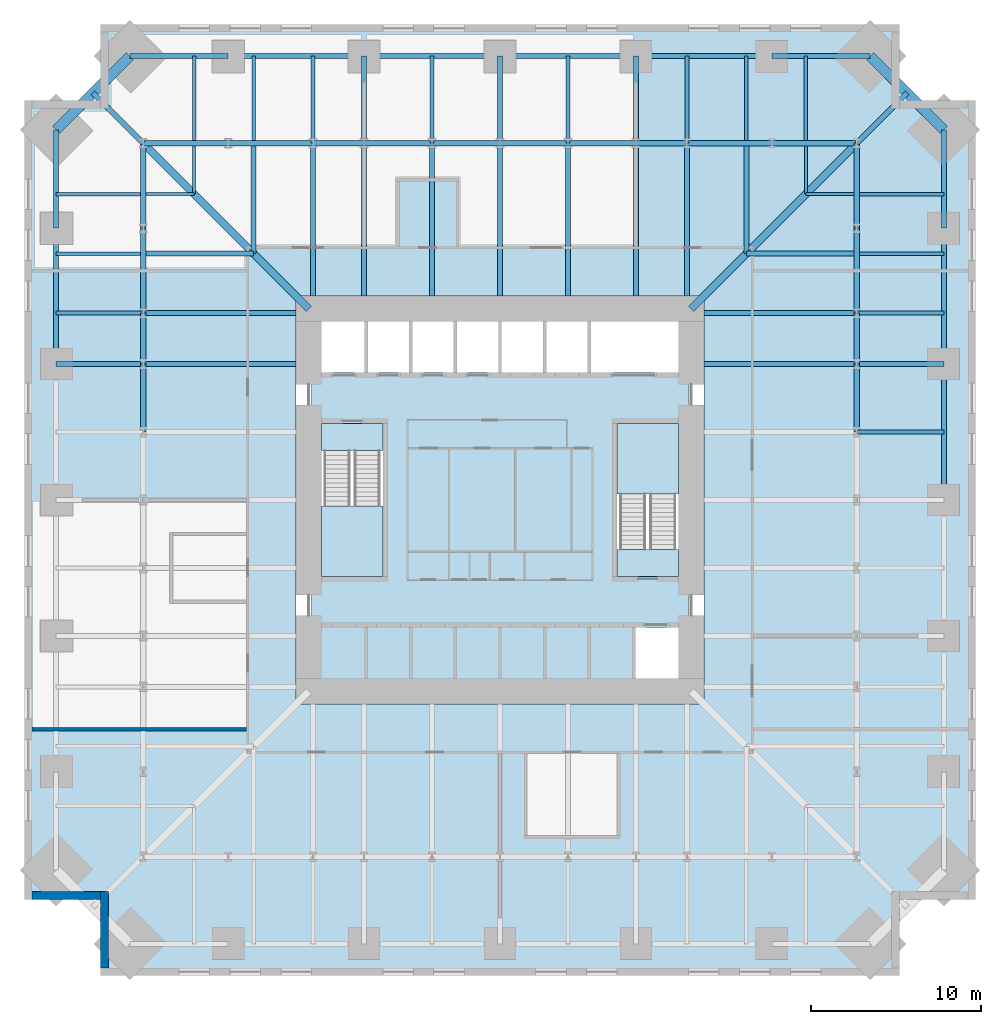
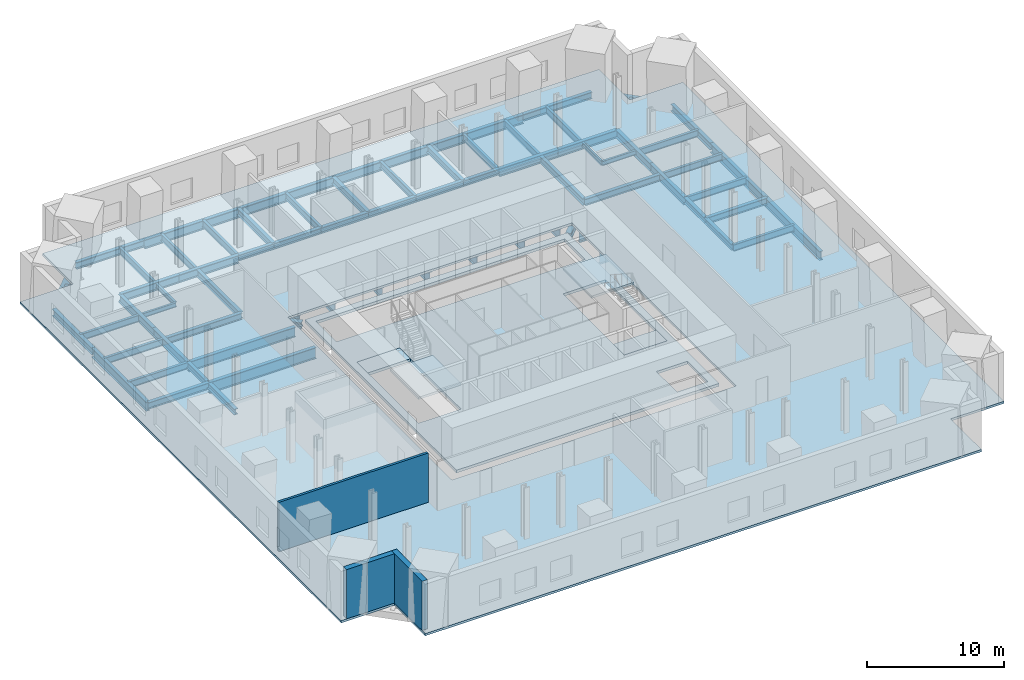
# One storey, part 2 of 8: 74 beams, 6 slabs, 3 walls, 2 elements without a shape of their own.
"""IFC4 building model written with IfcOpenShell, lengths in metres."""

from ifc_helpers import new_model, si_unit, direction, frame, frame_2d, origin, origin_2d, place, context, subcontext, project, spatial, polyline, rectangle, hollow_rectangle, i_section, outline, extrude, material, layer, layer_set, material_profile, profile_set, type_object, element, aggregate, save


model = new_model("IFC4")

# Units and contexts
model_context = context("Model", 3, precision=1e-05, world=origin(), true_north=direction((0.0, 1.0)))
body_context = subcontext(model_context, "Body", "Model", "MODEL_VIEW")
ifc_project = project(units=[si_unit("LENGTHUNIT", "METRE"), si_unit("AREAUNIT", "SQUARE_METRE"), si_unit("VOLUMEUNIT", "CUBIC_METRE"), si_unit("PLANEANGLEUNIT", "RADIAN"), si_unit("MASSUNIT", "GRAM", prefix="KILO")], contexts=[model_context])

# Site, building, storey
site_placement = place(None, origin())
site = spatial("IfcSite", under=ifc_project, at=site_placement, CompositionType="ELEMENT")
building_placement = place(site_placement, origin())
building = spatial("IfcBuilding", under=site, at=building_placement, Name="Peilmerk Tower", CompositionType="ELEMENT")
storey_placement = place(building_placement, frame((0.0, 0.0, 118.199951171875)))
storey = spatial("IfcBuildingStorey", under=building, at=storey_placement, Name="L23", CompositionType="ELEMENT", Elevation=118.199951171875)

# Beams
ifc_material_1 = material(Name="Steel S355", Category="steel")
ifc_material_profile_1 = material_profile(ifc_material_1, i_section(OverallWidth=0.219970703125, OverallDepth=0.60009765625, WebThickness=0.011962890625, FlangeThickness=0.01904296875, at=origin_2d()), Name="IPE 600")
ifc_profile_set_1 = profile_set([ifc_material_profile_1], Name="Steel S355")
beam_type_1 = type_object("IfcBeamType", Name="B10 IPE 600 floor beam", PredefinedType="BEAM", material=ifc_profile_set_1)
for number, where, z_axis, x_axis, name in (
    (1, (11.0, 21.0, -0.5), (0.0, 1.0, 0.0), (-1.0, 0.0, 0.0), "Floor beam L23"),
    (2, (4.0, 21.0, -0.5), (0.0, 1.0, 0.0), (-1.0, 0.0, 0.0), "Floor beam L23"),
    (3, (-4.0, 21.0, -0.5), (0.0, 1.0, 0.0), (-1.0, 0.0, 0.0), "Floor beam L23"),
    (4, (-11.0, 21.0, -0.5), (0.0, 1.0, 0.0), (-1.0, 0.0, 0.0), "Floor beam L23"),
    (5, (21.0, 4.0, -0.5), (1.0, 0.0, 0.0), (0.0, 1.0, 0.0), "Floor beam L23"),
    (6, (21.0, 11.0, -0.5), (1.0, 0.0, 0.0), (0.0, 1.0, 0.0), "Floor beam L23"),
    (7, (-21.0, 11.0, -0.5), (-1.0, 0.0, 0.0), (0.0, -1.0, 0.0), "Floor beam L23"),
):
    element("IfcBeam", number, at=place(storey_placement, frame(where, z_axis=z_axis, x_axis=x_axis)), inside=storey, type_object=beam_type_1, Name=name, PredefinedType="BEAM", context=body_context, shape_type="SweptSolid", body=[
        extrude(i_section(OverallWidth=0.219970703125, OverallDepth=0.60009765625, WebThickness=0.011962890625, FlangeThickness=0.01904296875, at=origin_2d()), origin(), (0.0, 0.0, 1.0), 5.130615234375),
    ])
for number, where, z_axis, x_axis, name in (
    (8, (14.5, 21.152099609375, -0.5), (0.0, 1.0, 0.0), (-1.0, 0.0, 0.0), "Floor beam L23"),
    (9, (21.152099609375, 14.5, -0.5), (1.0, 0.0, 0.0), (0.0, 1.0, 0.0), "Floor beam L23"),
    (10, (18.0, 21.152099609375, -0.5), (0.0, 1.0, 0.0), (-1.0, 0.0, 0.0), "Floor beam L23"),
    (11, (21.152099609375, 18.0, -0.5), (1.0, 0.0, 0.0), (0.0, 1.0, 0.0), "Floor beam L23"),
    (12, (-14.5, 21.152099609375, -0.5), (0.0, 1.0, 0.0), (-1.0, 0.0, 0.0), "Floor beam L23"),
    (13, (-21.152099609375, 14.5, -0.5), (-1.0, 0.0, 0.0), (0.0, -1.0, 0.0), "Floor beam L23"),
    (14, (-18.0, 21.152099609375, -0.5), (0.0, 1.0, 0.0), (-1.0, 0.0, 0.0), "Floor beam L23"),
    (15, (-21.152099609375, 18.0, -0.5), (-1.0, 0.0, 0.0), (0.0, -1.0, 0.0), "Floor beam L23"),
):
    element("IfcBeam", number, at=place(storey_placement, frame(where, z_axis=z_axis, x_axis=x_axis)), inside=storey, type_object=beam_type_1, Name=name, PredefinedType="BEAM", context=body_context, shape_type="SweptSolid", body=[
        extrude(i_section(OverallWidth=0.219970703125, OverallDepth=0.60009765625, WebThickness=0.011962890625, FlangeThickness=0.01904296875, at=origin_2d()), origin(), (0.0, 0.0, 1.0), 4.978515625),
    ])
ifc_material_profile_2 = material_profile(ifc_material_1, i_section(OverallWidth=0.302978515625, OverallDepth=0.81396484375, WebThickness=0.02099609375, FlangeThickness=0.0400390625, at=origin_2d()), Name="HEM 800")
ifc_profile_set_2 = profile_set([ifc_material_profile_2], Name="Steel S355")
beam_type_2 = type_object("IfcBeamType", Name="B15 HEM 800 edge beam", PredefinedType="SPANDREL", material=ifc_profile_set_2)
for number, where, z_axis, x_axis, name in (
    (16, (16.0, 26.130615234375, -0.60693359375), (-1.0, 0.0, 0.0), (0.0, -1.0, 0.0), "Edge beam L23"),
    (17, (8.0, 26.130615234375, -0.60693359375), (-1.0, 0.0, 0.0), (0.0, -1.0, 0.0), "Edge beam L23"),
    (18, (0.0, 26.130615234375, -0.60693359375), (-1.0, 0.0, 0.0), (0.0, -1.0, 0.0), "Edge beam L23"),
    (19, (-8.0, 26.130615234375, -0.60693359375), (-1.0, 0.0, 0.0), (0.0, -1.0, 0.0), "Edge beam L23"),
    (20, (26.130615234375, 0.0, -0.60693359375), (0.0, 1.0, 0.0), (-1.0, 0.0, 0.0), "Edge beam L23"),
    (21, (26.130615234375, 8.0, -0.60693359375), (0.0, 1.0, 0.0), (-1.0, 0.0, 0.0), "Edge beam L23"),
    (22, (-26.130615234375, 16.0, -0.60693359375), (0.0, -1.0, 0.0), (1.0, 0.0, 0.0), "Edge beam L23"),
):
    element("IfcBeam", number, at=place(storey_placement, frame(where, z_axis=z_axis, x_axis=x_axis)), inside=storey, type_object=beam_type_2, Name=name, PredefinedType="SPANDREL", context=body_context, shape_type="SweptSolid", body=[
        extrude(i_section(OverallWidth=0.302978515625, OverallDepth=0.81396484375, WebThickness=0.02099609375, FlangeThickness=0.0400390625, at=origin_2d()), origin(), (0.0, 0.0, 1.0), 8.0),
    ])
ifc_material_profile_3 = material_profile(ifc_material_1, i_section(OverallWidth=0.303955078125, OverallDepth=0.716064453125, WebThickness=0.02099609375, FlangeThickness=0.0400390625, at=origin_2d()), Name="HEM 700")
ifc_profile_set_3 = profile_set([ifc_material_profile_3], Name="Steel S355")
beam_type_3 = type_object("IfcBeamType", Name="B19 HEM 700 ring girder", PredefinedType="BEAM", material=ifc_profile_set_3)
for number, where, z_axis, x_axis, name in (
    (23, (21.0, 21.0, -0.557861328125), (-1.0, 0.0, 0.0), (0.0, -1.0, 0.0), "Ring girder L23"),
    (24, (16.0, 21.0, -0.557861328125), (-1.0, 0.0, 0.0), (0.0, -1.0, 0.0), "Ring girder L23"),
    (25, (-11.0, 21.0, -0.557861328125), (-1.0, 0.0, 0.0), (0.0, -1.0, 0.0), "Ring girder L23"),
    (26, (-16.0, 21.0, -0.557861328125), (-1.0, 0.0, 0.0), (0.0, -1.0, 0.0), "Ring girder L23"),
    (27, (21.0, 11.0, -0.557861328125), (0.0, 1.0, 0.0), (-1.0, 0.0, 0.0), "Ring girder L23"),
    (28, (21.0, 16.0, -0.557861328125), (0.0, 1.0, 0.0), (-1.0, 0.0, 0.0), "Ring girder L23"),
    (29, (-21.0, 21.0, -0.557861328125), (0.0, -1.0, 0.0), (1.0, 0.0, 0.0), "Ring girder L23"),
    (30, (-21.0, 16.0, -0.557861328125), (0.0, -1.0, 0.0), (1.0, 0.0, 0.0), "Ring girder L23"),
):
    element("IfcBeam", number, at=place(storey_placement, frame(where, z_axis=z_axis, x_axis=x_axis)), inside=storey, type_object=beam_type_3, Name=name, PredefinedType="BEAM", context=body_context, shape_type="SweptSolid", body=[
        extrude(i_section(OverallWidth=0.303955078125, OverallDepth=0.716064453125, WebThickness=0.02099609375, FlangeThickness=0.0400390625, at=origin_2d()), origin(), (0.0, 0.0, 1.0), 5.0),
    ])
ifc_material_2 = material(Name="Steel S460", Category="steel")
ifc_material_profile_4 = material_profile(ifc_material_2, hollow_rectangle(XDim=0.60009765625, YDim=0.60009765625, WallThickness=0.06005859375, at=origin_2d()), Name="BOX 600x600x60")
ifc_profile_set_4 = profile_set([ifc_material_profile_4], Name="Steel S460")
beam_type_4 = type_object("IfcBeamType", Name="B20 BOX 600x600x60 notch beam", PredefinedType="SPANDREL", material=ifc_profile_set_4)
for number, where, z_axis, x_axis, name in (
    (31, (21.78076171875, 26.130615234375, -0.5), (0.707106781187, -0.707106781187, 0.0), (0.707106781187, 0.707106781187, 0.0), "Notch beam L23"),
    (32, (-26.130615234375, 21.78076171875, -0.5), (0.707106781187, 0.707106781187, 0.0), (-0.707106781187, 0.707106781187, 0.0), "Notch beam L23"),
):
    element("IfcBeam", number, at=place(storey_placement, frame(where, z_axis=z_axis, x_axis=x_axis)), inside=storey, type_object=beam_type_4, Name=name, PredefinedType="SPANDREL", context=body_context, shape_type="SweptSolid", body=[
        extrude(hollow_rectangle(XDim=0.60009765625, YDim=0.60009765625, WallThickness=0.06005859375, at=origin_2d()), origin(), (0.0, 0.0, 1.0), 6.151611328125),
    ])
ifc_material_profile_5 = material_profile(ifc_material_1, i_section(OverallWidth=0.302001953125, OverallDepth=1.008056640625, WebThickness=0.02099609375, FlangeThickness=0.0400390625, at=origin_2d()), Name="HEM 1000")
ifc_profile_set_5 = profile_set([ifc_material_profile_5], Name="Steel S355")
beam_type_5 = type_object("IfcBeamType", Name="B24 HEM 1000 floor girder", PredefinedType="BEAM", material=ifc_profile_set_5)
for number, where, z_axis, x_axis, name in (
    (33, (8.0, 12.0, -0.703857421875), (0.0, 1.0, 0.0), (-1.0, 0.0, 0.0), "Floor girder L23"),
    (34, (0.0, 12.0, -0.703857421875), (0.0, 1.0, 0.0), (-1.0, 0.0, 0.0), "Floor girder L23"),
    (35, (-8.0, 12.0, -0.703857421875), (0.0, 1.0, 0.0), (-1.0, 0.0, 0.0), "Floor girder L23"),
    (36, (12.0, 8.0, -0.703857421875), (1.0, 0.0, 0.0), (0.0, 1.0, 0.0), "Floor girder L23"),
    (37, (-12.0, 8.0, -0.703857421875), (-1.0, 0.0, 0.0), (0.0, -1.0, 0.0), "Floor girder L23"),
):
    element("IfcBeam", number, at=place(storey_placement, frame(where, z_axis=z_axis, x_axis=x_axis)), inside=storey, type_object=beam_type_5, Name=name, PredefinedType="BEAM", context=body_context, shape_type="SweptSolid", body=[
        extrude(i_section(OverallWidth=0.302001953125, OverallDepth=1.008056640625, WebThickness=0.02099609375, FlangeThickness=0.0400390625, at=origin_2d()), origin(), (0.0, 0.0, 1.0), 9.0),
    ])
ifc_material_profile_6 = material_profile(ifc_material_1, i_section(OverallWidth=0.300048828125, OverallDepth=0.590087890625, WebThickness=0.012939453125, FlangeThickness=0.02490234375, at=origin_2d()), Name="HEA 600")
ifc_profile_set_6 = profile_set([ifc_material_profile_6], Name="Steel S355")
beam_type_6 = type_object("IfcBeamType", Name="B27 HEA 600 floor beam", PredefinedType="BEAM", material=ifc_profile_set_6)
for number, where, z_axis, x_axis, name in (
    (38, (8.0, 21.0, -0.494873046875), (0.0, 1.0, 0.0), (-1.0, 0.0, 0.0), "Floor girder L23"),
    (39, (0.0, 21.0, -0.494873046875), (0.0, 1.0, 0.0), (-1.0, 0.0, 0.0), "Floor girder L23"),
    (40, (-8.0, 21.0, -0.494873046875), (0.0, 1.0, 0.0), (-1.0, 0.0, 0.0), "Floor girder L23"),
    (41, (21.0, 8.0, -0.494873046875), (1.0, 0.0, 0.0), (0.0, 1.0, 0.0), "Floor girder L23"),
    (42, (-21.0, 8.0, -0.494873046875), (-1.0, 0.0, 0.0), (0.0, -1.0, 0.0), "Floor girder L23"),
):
    element("IfcBeam", number, at=place(storey_placement, frame(where, z_axis=z_axis, x_axis=x_axis)), inside=storey, type_object=beam_type_6, Name=name, PredefinedType="BEAM", context=body_context, shape_type="SweptSolid", body=[
        extrude(i_section(OverallWidth=0.300048828125, OverallDepth=0.590087890625, WebThickness=0.012939453125, FlangeThickness=0.02490234375, at=origin_2d()), origin(), (0.0, 0.0, 1.0), 5.130615234375),
    ])
for number, where, z_axis, x_axis, name in (
    (43, (14.5, 14.5, -0.494873046875), (0.0, 1.0, 0.0), (-1.0, 0.0, 0.0), "Floor beam L23"),
    (44, (14.5, 14.5, -0.494873046875), (1.0, 0.0, 0.0), (0.0, 1.0, 0.0), "Floor beam L23"),
    (45, (-14.5, 14.5, -0.494873046875), (0.0, 1.0, 0.0), (-1.0, 0.0, 0.0), "Floor beam L23"),
    (46, (-14.5, 14.5, -0.494873046875), (-1.0, 0.0, 0.0), (0.0, -1.0, 0.0), "Floor beam L23"),
):
    element("IfcBeam", number, at=place(storey_placement, frame(where, z_axis=z_axis, x_axis=x_axis)), inside=storey, type_object=beam_type_6, Name=name, PredefinedType="BEAM", context=body_context, shape_type="SweptSolid", body=[
        extrude(i_section(OverallWidth=0.300048828125, OverallDepth=0.590087890625, WebThickness=0.012939453125, FlangeThickness=0.02490234375, at=origin_2d()), origin(), (0.0, 0.0, 1.0), 6.347900390625),
    ])
ifc_material_profile_7 = material_profile(ifc_material_1, i_section(OverallWidth=0.179931640625, OverallDepth=0.39990234375, WebThickness=0.008544921875, FlangeThickness=0.013427734375, at=origin_2d()), Name="IPE 400")
ifc_profile_set_7 = profile_set([ifc_material_profile_7], Name="Steel S355")
beam_type_7 = type_object("IfcBeamType", Name="B28 IPE 400 floor beam", PredefinedType="BEAM", material=ifc_profile_set_7)
for number, where, z_axis, x_axis, name in (
    (47, (18.0, 18.0, -0.39990234375), (0.0, 1.0, 0.0), (-1.0, 0.0, 0.0), "Floor beam L23"),
    (48, (18.0, 18.0, -0.39990234375), (1.0, 0.0, 0.0), (0.0, 1.0, 0.0), "Floor beam L23"),
    (49, (-18.0, 18.0, -0.39990234375), (0.0, 1.0, 0.0), (-1.0, 0.0, 0.0), "Floor beam L23"),
    (50, (-18.0, 18.0, -0.39990234375), (-1.0, 0.0, 0.0), (0.0, -1.0, 0.0), "Floor beam L23"),
):
    element("IfcBeam", number, at=place(storey_placement, frame(where, z_axis=z_axis, x_axis=x_axis)), inside=storey, type_object=beam_type_7, Name=name, PredefinedType="BEAM", context=body_context, shape_type="SweptSolid", body=[
        extrude(i_section(OverallWidth=0.179931640625, OverallDepth=0.39990234375, WebThickness=0.008544921875, FlangeThickness=0.013427734375, at=origin_2d()), origin(), (0.0, 0.0, 1.0), 2.847900390625),
    ])
ifc_material_profile_8 = material_profile(ifc_material_1, i_section(OverallWidth=0.304931640625, OverallDepth=0.6201171875, WebThickness=0.02099609375, FlangeThickness=0.0400390625, at=origin_2d()), Name="HEM 600")
ifc_profile_set_8 = profile_set([ifc_material_profile_8], Name="Steel S355")
beam_type_8 = type_object("IfcBeamType", Name="B31 HEM 600 edge beam", PredefinedType="SPANDREL", material=ifc_profile_set_8)
for number, where, z_axis, x_axis, name in (
    (51, (21.78076171875, 26.130615234375, -0.510009765625), (-1.0, 0.0, 0.0), (0.0, -1.0, 0.0), "Edge beam L23"),
    (52, (-16.0, 26.130615234375, -0.510009765625), (-1.0, 0.0, 0.0), (0.0, -1.0, 0.0), "Edge beam L23"),
    (53, (26.130615234375, 16.0, -0.510009765625), (0.0, 1.0, 0.0), (-1.0, 0.0, 0.0), "Edge beam L23"),
    (54, (-26.130615234375, 21.78076171875, -0.510009765625), (0.0, -1.0, 0.0), (1.0, 0.0, 0.0), "Edge beam L23"),
):
    element("IfcBeam", number, at=place(storey_placement, frame(where, z_axis=z_axis, x_axis=x_axis)), inside=storey, type_object=beam_type_8, Name=name, PredefinedType="SPANDREL", context=body_context, shape_type="SweptSolid", body=[
        extrude(i_section(OverallWidth=0.304931640625, OverallDepth=0.6201171875, WebThickness=0.02099609375, FlangeThickness=0.0400390625, at=origin_2d()), origin(), (0.0, 0.0, 1.0), 5.78076171875),
    ])
ifc_material_profile_9 = material_profile(ifc_material_1, i_section(OverallWidth=0.300048828125, OverallDepth=0.889892578125, WebThickness=0.01611328125, FlangeThickness=0.030029296875, at=origin_2d()), Name="HEA 900")
ifc_profile_set_9 = profile_set([ifc_material_profile_9], Name="Steel S355")
beam_type_9 = type_object("IfcBeamType", Name="B4 HEA 900 floor beam", PredefinedType="BEAM", material=ifc_profile_set_9)
for number, where, z_axis, x_axis, name in (
    (55, (11.0, 12.0, -0.64501953125), (0.0, 1.0, 0.0), (-1.0, 0.0, 0.0), "Floor beam L23"),
    (56, (4.0, 12.0, -0.64501953125), (0.0, 1.0, 0.0), (-1.0, 0.0, 0.0), "Floor beam L23"),
    (57, (-4.0, 12.0, -0.64501953125), (0.0, 1.0, 0.0), (-1.0, 0.0, 0.0), "Floor beam L23"),
    (58, (-11.0, 12.0, -0.64501953125), (0.0, 1.0, 0.0), (-1.0, 0.0, 0.0), "Floor beam L23"),
    (59, (12.0, 11.0, -0.64501953125), (1.0, 0.0, 0.0), (0.0, 1.0, 0.0), "Floor beam L23"),
    (60, (-12.0, 11.0, -0.64501953125), (-1.0, 0.0, 0.0), (0.0, -1.0, 0.0), "Floor beam L23"),
):
    element("IfcBeam", number, at=place(storey_placement, frame(where, z_axis=z_axis, x_axis=x_axis)), inside=storey, type_object=beam_type_9, Name=name, PredefinedType="BEAM", context=body_context, shape_type="SweptSolid", body=[
        extrude(i_section(OverallWidth=0.300048828125, OverallDepth=0.889892578125, WebThickness=0.01611328125, FlangeThickness=0.030029296875, at=origin_2d()), origin(), (0.0, 0.0, 1.0), 9.0),
    ])
ifc_material_profile_10 = material_profile(ifc_material_1, i_section(OverallWidth=0.304931640625, OverallDepth=0.6201171875, WebThickness=0.02099609375, FlangeThickness=0.0400390625, at=origin_2d()), Name="HEM 600")
ifc_profile_set_10 = profile_set([ifc_material_profile_10], Name="Steel S355")
beam_type_10 = type_object("IfcBeamType", Name="B6 HEM 600 ring girder", PredefinedType="BEAM", material=ifc_profile_set_10)
for number, where, z_axis, x_axis, name in (
    (61, (21.0, 21.0, -0.510009765625), (0.707106781187, 0.707106781187, 0.0), (-0.707106781187, 0.707106781187, 0.0), "Corner girder L23"),
    (62, (-21.0, 21.0, -0.510009765625), (-0.707106781187, 0.707106781187, 0.0), (-0.707106781187, -0.707106781187, 0.0), "Corner girder L23"),
):
    element("IfcBeam", number, at=place(storey_placement, frame(where, z_axis=z_axis, x_axis=x_axis)), inside=storey, type_object=beam_type_10, Name=name, PredefinedType="BEAM", context=body_context, shape_type="SweptSolid", body=[
        extrude(i_section(OverallWidth=0.304931640625, OverallDepth=0.6201171875, WebThickness=0.02099609375, FlangeThickness=0.0400390625, at=origin_2d()), origin(), (0.0, 0.0, 1.0), 4.1796875),
    ])
ifc_material_profile_11 = material_profile(ifc_material_1, i_section(OverallWidth=0.305908203125, OverallDepth=0.52392578125, WebThickness=0.02099609375, FlangeThickness=0.0400390625, at=origin_2d()), Name="HEM 500")
ifc_profile_set_11 = profile_set([ifc_material_profile_11], Name="Steel S355")
beam_type_11 = type_object("IfcBeamType", Name="B7 HEM 500 ring girder", PredefinedType="BEAM", material=ifc_profile_set_11)
beam_1_placement = place(storey_placement, frame((11.0, 21.0, -0.4619140625), z_axis=(-1.0, 0.0, 0.0), x_axis=(0.0, -1.0, 0.0)))
element("IfcBeam", 63, at=beam_1_placement, inside=storey, type_object=beam_type_11, Name="Ring girder L23", PredefinedType="BEAM", context=body_context, shape_type="SweptSolid", body=[
    extrude(i_section(OverallWidth=0.305908203125, OverallDepth=0.52392578125, WebThickness=0.02099609375, FlangeThickness=0.0400390625, at=origin_2d()), origin(), (0.0, 0.0, 1.0), 3.0),
])
for number, where, z_axis, x_axis, name in (
    (64, (8.0, 21.0, -0.4619140625), (-1.0, 0.0, 0.0), (0.0, -1.0, 0.0), "Ring girder L23"),
    (65, (4.0, 21.0, -0.4619140625), (-1.0, 0.0, 0.0), (0.0, -1.0, 0.0), "Ring girder L23"),
    (66, (0.0, 21.0, -0.4619140625), (-1.0, 0.0, 0.0), (0.0, -1.0, 0.0), "Ring girder L23"),
    (67, (-4.0, 21.0, -0.4619140625), (-1.0, 0.0, 0.0), (0.0, -1.0, 0.0), "Ring girder L23"),
):
    element("IfcBeam", number, at=place(storey_placement, frame(where, z_axis=z_axis, x_axis=x_axis)), inside=storey, type_object=beam_type_11, Name=name, PredefinedType="BEAM", context=body_context, shape_type="SweptSolid", body=[
        extrude(i_section(OverallWidth=0.305908203125, OverallDepth=0.52392578125, WebThickness=0.02099609375, FlangeThickness=0.0400390625, at=origin_2d()), origin(), (0.0, 0.0, 1.0), 4.0),
    ])
beam_2_placement = place(storey_placement, frame((-8.0, 21.0, -0.4619140625), z_axis=(-1.0, 0.0, 0.0), x_axis=(0.0, -1.0, 0.0)))
element("IfcBeam", 68, at=beam_2_placement, inside=storey, type_object=beam_type_11, Name="Ring girder L23", PredefinedType="BEAM", context=body_context, shape_type="SweptSolid", body=[
    extrude(i_section(OverallWidth=0.305908203125, OverallDepth=0.52392578125, WebThickness=0.02099609375, FlangeThickness=0.0400390625, at=origin_2d()), origin(), (0.0, 0.0, 1.0), 3.0),
])
beam_3_placement = place(storey_placement, frame((21.0, 4.0, -0.4619140625), z_axis=(0.0, 1.0, 0.0), x_axis=(-1.0, 0.0, 0.0)))
element("IfcBeam", 69, at=beam_3_placement, inside=storey, type_object=beam_type_11, Name="Ring girder L23", PredefinedType="BEAM", context=body_context, shape_type="SweptSolid", body=[
    extrude(i_section(OverallWidth=0.305908203125, OverallDepth=0.52392578125, WebThickness=0.02099609375, FlangeThickness=0.0400390625, at=origin_2d()), origin(), (0.0, 0.0, 1.0), 4.0),
])
for number, where, z_axis, x_axis, name in (
    (70, (21.0, 8.0, -0.4619140625), (0.0, 1.0, 0.0), (-1.0, 0.0, 0.0), "Ring girder L23"),
    (71, (-21.0, 11.0, -0.4619140625), (0.0, -1.0, 0.0), (1.0, 0.0, 0.0), "Ring girder L23"),
):
    element("IfcBeam", number, at=place(storey_placement, frame(where, z_axis=z_axis, x_axis=x_axis)), inside=storey, type_object=beam_type_11, Name=name, PredefinedType="BEAM", context=body_context, shape_type="SweptSolid", body=[
        extrude(i_section(OverallWidth=0.305908203125, OverallDepth=0.52392578125, WebThickness=0.02099609375, FlangeThickness=0.0400390625, at=origin_2d()), origin(), (0.0, 0.0, 1.0), 3.0),
    ])
beam_4_placement = place(storey_placement, frame((-21.0, 8.0, -0.4619140625), z_axis=(0.0, -1.0, 0.0), x_axis=(1.0, 0.0, 0.0)))
element("IfcBeam", 72, at=beam_4_placement, inside=storey, type_object=beam_type_11, Name="Ring girder L23", PredefinedType="BEAM", context=body_context, shape_type="SweptSolid", body=[
    extrude(i_section(OverallWidth=0.305908203125, OverallDepth=0.52392578125, WebThickness=0.02099609375, FlangeThickness=0.0400390625, at=origin_2d()), origin(), (0.0, 0.0, 1.0), 4.0),
])
ifc_material_profile_12 = material_profile(ifc_material_2, i_section(OverallWidth=0.4541015625, OverallDepth=0.569091796875, WebThickness=0.077880859375, FlangeThickness=0.125, at=origin_2d()), Name="HD 400x1086")
ifc_profile_set_12 = profile_set([ifc_material_profile_12], Name="Steel S460")
beam_type_12 = type_object("IfcBeamType", Name="B9 HD 400x1086 corner girder", PredefinedType="BEAM", material=ifc_profile_set_12)
for number, where, z_axis, x_axis, name in (
    (73, (11.25, 11.25, -0.484375), (0.707106781187, 0.707106781187, 0.0), (-0.707106781187, 0.707106781187, 0.0), "Corner girder L23"),
    (74, (-11.25, 11.25, -0.484375), (-0.707106781187, 0.707106781187, 0.0), (-0.707106781187, -0.707106781187, 0.0), "Corner girder L23"),
):
    element("IfcBeam", number, at=place(storey_placement, frame(where, z_axis=z_axis, x_axis=x_axis)), inside=storey, type_object=beam_type_12, Name=name, PredefinedType="BEAM", context=body_context, shape_type="SweptSolid", body=[
        extrude(i_section(OverallWidth=0.4541015625, OverallDepth=0.569091796875, WebThickness=0.077880859375, FlangeThickness=0.125, at=origin_2d()), origin(), (0.0, 0.0, 1.0), 13.78857421875),
    ])

# Slabs
ifc_material_3 = material(Name="Concrete C55/67", Category="concrete")
ifc_layer_1 = layer(ifc_material_3, 0.25)
ifc_layer_set_1 = layer_set([ifc_layer_1], Name="Concrete C55/67")
slab_type_1 = type_object("IfcSlabType", Name="CS250 250 core floor slab", PredefinedType="FLOOR", material=ifc_layer_set_1)
slab_1_placement = place(storey_placement, frame((0.0, 0.0, -0.25)))
element("IfcSlab", 75, at=slab_1_placement, inside=storey, type_object=slab_type_1, Name="Core slab L23", PredefinedType="FLOOR", context=body_context, shape_type="SweptSolid", body=[
    extrude(outline(polyline([(-11.10009765625, 11.10009765625), (-11.10009765625, -11.10009765625), (11.10009765625, -11.10009765625), (11.10009765625, 11.10009765625), (-11.10009765625, 11.10009765625)]), holes=[polyline([(10.5, 7.5), (-10.5, 7.5), (-10.5, 10.5), (10.5, 10.5), (10.5, 7.5)]), polyline([(7.875, -10.5), (7.875, -7.5), (10.5, -7.5), (10.5, -10.5), (7.875, -10.5)]), polyline([(-10.5, 4.5), (-6.89990234375, 4.5), (-6.89990234375, -4.5), (-10.5, -4.5), (-10.5, 4.5)]), polyline([(10.5, 4.5), (10.5, -4.5), (6.89990234375, -4.5), (6.89990234375, 4.5), (10.5, 4.5)])]), origin(), (0.0, 0.0, 1.0), 0.25),
])
ifc_material_4 = material(Name="Concrete C35/45", Category="concrete")
ifc_layer_2 = layer(ifc_material_4, 0.199951171875)
ifc_layer_set_2 = layer_set([ifc_layer_2], Name="Concrete C35/45")
slab_type_2 = type_object("IfcSlabType", Name="FS200 200 composite floor slab", PredefinedType="FLOOR", material=ifc_layer_set_2)
slab_2_placement = place(storey_placement, frame((0.0, 0.0, -0.199951171875)))
element("IfcSlab", 76, at=slab_2_placement, inside=storey, type_object=slab_type_2, Name="Floor slab L23", PredefinedType="FLOOR", context=body_context, shape_type="SweptSolid", body=[
    extrude(outline(polyline([(-23.5, -28.0), (23.5, -28.0), (23.5, -23.5), (28.0, -23.5), (28.0, 23.5), (23.5, 23.5), (23.5, 28.0), (-23.5, 28.0), (-23.5, 23.5), (-28.0, 23.5), (-28.0, -23.5), (-23.5, -23.5), (-23.5, -28.0)]), holes=[polyline([(12.0, 12.0), (12.0, -12.0), (-12.0, -12.0), (-12.0, 12.0), (12.0, 12.0)])]), origin(), (0.0, 0.0, 1.0), 0.199951171875),
])

# Stair, slab
ifc_material_5 = material(Name="Precast concrete C45/55", Category="concrete")
stair_type_1 = type_object("IfcStairType", Name="ST1 26 risers of 176.9", PredefinedType="HALF_TURN_STAIR", material=ifc_material_5)
stair_1_placement = place(storey_placement, origin())
stair_1 = element("IfcStair", 77, at=stair_1_placement, inside=storey, type_object=stair_type_1, Name="Stair 1 L23 to L24", PredefinedType="HALF_TURN_STAIR")
ifc_layer_3 = layer(ifc_material_4, 0.199951171875)
ifc_layer_set_3 = layer_set([ifc_layer_3], Name="Concrete C35/45")
slab_type_3 = type_object("IfcSlabType", Name="SL1 200 concrete stair landing", PredefinedType="LANDING", material=ifc_layer_set_3)
slab_3_placement = place(storey_placement, frame((0.0, 0.0, 2.10009765625)))
slab_3 = element("IfcSlab", 78, at=slab_3_placement, type_object=slab_type_3, Name="ST1 landing 1", PredefinedType="LANDING", context=body_context, shape_type="SweptSolid", body=[
    extrude(outline(polyline([(-10.5, -4.5), (-6.89990234375, -4.5), (-6.89990234375, -0.340087890625), (-10.5, -0.340087890625), (-10.5, -4.5)])), origin(), (0.0, 0.0, 1.0), 0.199951171875),
])

stair_type_2 = type_object("IfcStairType", Name="ST2 26 risers of 176.9", PredefinedType="HALF_TURN_STAIR", material=ifc_material_5)
stair_2_placement = place(storey_placement, origin())
stair_2 = element("IfcStair", 79, at=stair_2_placement, inside=storey, type_object=stair_type_2, Name="Stair 2 L23 to L24", PredefinedType="HALF_TURN_STAIR")
slab_4_placement = place(storey_placement, frame((0.0, 0.0, 2.10009765625)))
slab_4 = element("IfcSlab", 80, at=slab_4_placement, type_object=slab_type_3, Name="ST2 landing 1", PredefinedType="LANDING", context=body_context, shape_type="SweptSolid", body=[
    extrude(outline(polyline([(6.89990234375, 0.340087890625), (10.5, 0.340087890625), (10.5, 4.5), (6.89990234375, 4.5), (6.89990234375, 0.340087890625)])), origin(), (0.0, 0.0, 1.0), 0.199951171875),
])

# Slab
ifc_layer_4 = layer(ifc_material_4, 0.25)
ifc_layer_set_4 = layer_set([ifc_layer_4], Name="Concrete C35/45")
slab_type_4 = type_object("IfcSlabType", Name="SL2 250 concrete floor landing", PredefinedType="LANDING", material=ifc_layer_set_4)
slab_5_placement = place(storey_placement, frame((0.0, 0.0, -0.25)))
slab_5 = element("IfcSlab", 81, at=slab_5_placement, type_object=slab_type_4, Name="ST1 floor landing", PredefinedType="LANDING", context=body_context, shape_type="SweptSolid", body=[
    extrude(outline(polyline([(-10.5, 2.89990234375), (-6.89990234375, 2.89990234375), (-6.89990234375, 4.5), (-10.5, 4.5), (-10.5, 2.89990234375)])), origin(), (0.0, 0.0, 1.0), 0.25),
])

aggregate(stair_1, [slab_3, slab_5])

slab_6_placement = place(storey_placement, frame((0.0, 0.0, -0.25)))
slab_6 = element("IfcSlab", 82, at=slab_6_placement, type_object=slab_type_4, Name="ST2 floor landing", PredefinedType="LANDING", context=body_context, shape_type="SweptSolid", body=[
    extrude(outline(polyline([(6.89990234375, -4.5), (10.5, -4.5), (10.5, -2.89990234375), (6.89990234375, -2.89990234375), (6.89990234375, -4.5)])), origin(), (0.0, 0.0, 1.0), 0.25),
])

aggregate(stair_2, [slab_4, slab_6])

# Walls
ifc_material_6 = material(Name="Precast concrete C45/55, board-marked finish", Category="concrete")
ifc_layer_5 = layer(ifc_material_6, 0.449951171875)
ifc_layer_set_5 = layer_set([ifc_layer_5], Name="Precast concrete C45/55, board-marked finish")
wall_type_1 = type_object("IfcWallType", Name="EW1 450 precast concrete facade wall, board-marked", PredefinedType="SOLIDWALL", material=ifc_layer_set_5)
wall_1_placement = place(storey_placement, frame((-23.27490234375, -23.050048828125, 0.0), z_axis=(0.0, 0.0, 1.0), x_axis=(0.0, -1.0, 0.0)))
element("IfcWall", 83, at=wall_1_placement, inside=storey, type_object=wall_type_1, Name="Facade wall SWA L23", PredefinedType="SOLIDWALL", context=body_context, shape_type="SweptSolid", body=[
    extrude(rectangle(XDim=4.5, YDim=0.449951171875, at=frame_2d((2.25, 0.0))), origin(), (0.0, 0.0, 1.0), 4.400146484375),
])
wall_2_placement = place(storey_placement, frame((-23.5, -23.27490234375, 0.0), z_axis=(0.0, 0.0, 1.0), x_axis=(-1.0, 0.0, 0.0)))
element("IfcWall", 84, at=wall_2_placement, inside=storey, type_object=wall_type_1, Name="Facade wall SWB L23", PredefinedType="SOLIDWALL", context=body_context, shape_type="SweptSolid", body=[
    extrude(rectangle(XDim=4.050048828125, YDim=0.449951171875, at=frame_2d((2.02490234375, 0.0))), origin(), (0.0, 0.0, 1.0), 4.400146484375),
])
ifc_material_7 = material(Name="Calcium silicate block", Category="masonry")
ifc_layer_6 = layer(ifc_material_7, 0.199951171875)
ifc_layer_set_6 = layer_set([ifc_layer_6], Name="Calcium silicate block")
wall_type_2 = type_object("IfcWallType", Name="IW2 200 room separating wall, EI 120", PredefinedType="PARTITIONING", material=ifc_layer_set_6)
wall_3_placement = place(storey_placement, frame((-14.925048828125, -13.5, 0.0), z_axis=(0.0, 0.0, 1.0), x_axis=(-1.0, 0.0, 0.0)))
element("IfcWall", 85, at=wall_3_placement, inside=storey, type_object=wall_type_2, Name="Room separating wall SW L23", PredefinedType="PARTITIONING", context=body_context, shape_type="SweptSolid", body=[
    extrude(rectangle(XDim=12.625, YDim=0.199951171875, at=frame_2d((6.3125, 0.0))), origin(), (0.0, 0.0, 1.0), 4.400146484375),
])

save(model, "model.ifc")
